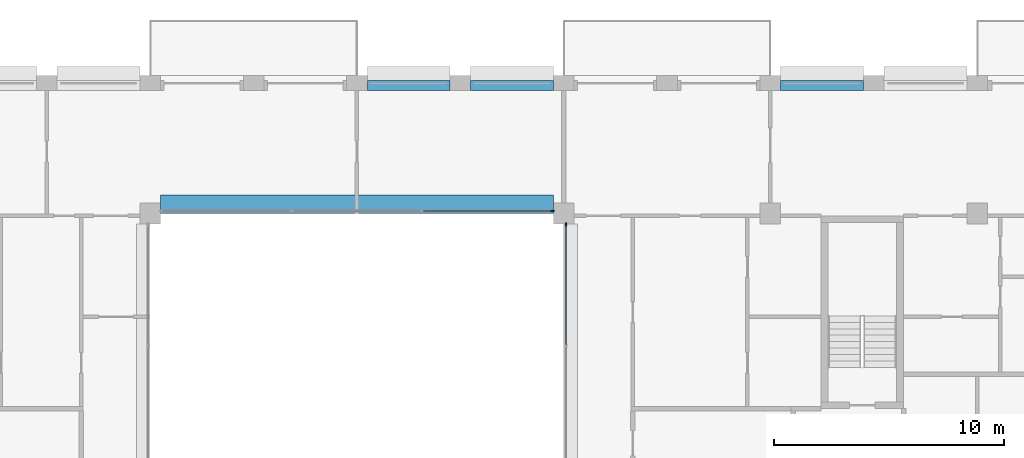
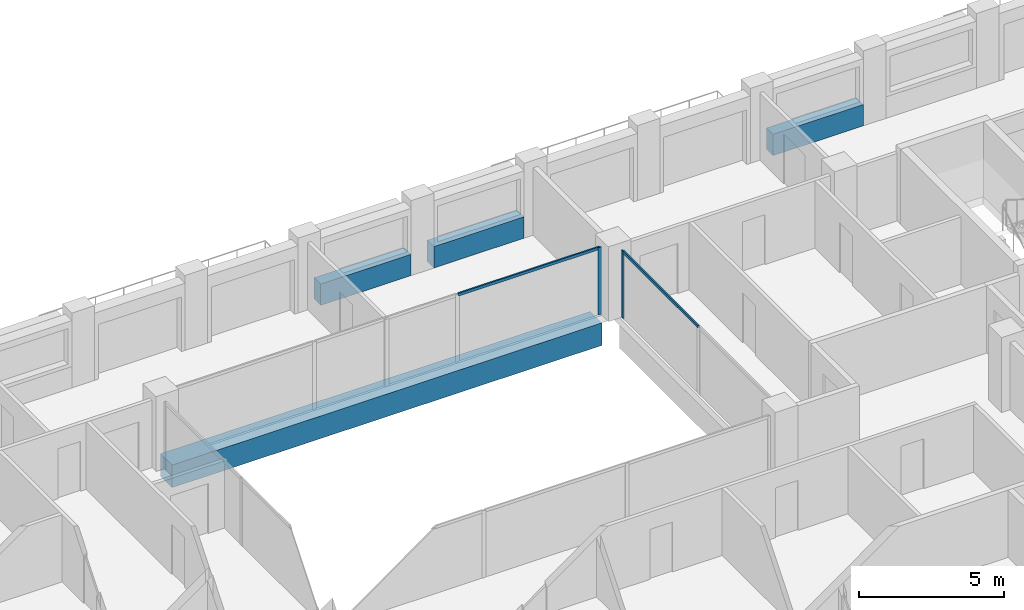
# One storey, part 6 of 15: 4 beams, 4 members, 2 elements without a shape of their own.
"""IFC4 building model written with IfcOpenShell, lengths in metres."""

from ifc_helpers import new_model, si_unit, direction, frame, origin, origin_2d, place, context, subcontext, project, spatial, rectangle, extrude, material, layer, layer_set, material_profile, profile_set, type_object, element, aggregate, save


model = new_model("IFC4")

# Units and contexts
model_context = context("Model", 3, precision=1e-05, world=origin(), true_north=direction((0.0, 1.0)))
body_context = subcontext(model_context, "Body", "Model", "MODEL_VIEW")
ifc_project = project(units=[si_unit("LENGTHUNIT", "METRE"), si_unit("AREAUNIT", "SQUARE_METRE"), si_unit("VOLUMEUNIT", "CUBIC_METRE"), si_unit("PLANEANGLEUNIT", "RADIAN"), si_unit("MASSUNIT", "GRAM", prefix="KILO")], contexts=[model_context])

# Site, building, storey
site_placement = place(None, origin())
site = spatial("IfcSite", under=ifc_project, at=site_placement, CompositionType="ELEMENT")
building_placement = place(site_placement, origin())
building = spatial("IfcBuilding", under=site, at=building_placement, Name="Brigalow Station Residences", CompositionType="ELEMENT")
storey_placement = place(building_placement, frame((0.0, 0.0, 207.449951171875)))
storey = spatial("IfcBuildingStorey", under=building, at=storey_placement, Name="L59", CompositionType="ELEMENT", Elevation=207.449951171875)

# Beam
ifc_material_1 = material(Name="Concrete C65", Category="concrete")
ifc_material_profile_1 = material_profile(ifc_material_1, rectangle(XDim=0.800048828125, YDim=0.949951171875, at=origin_2d()), Name="RC800x950")
ifc_profile_set_1 = profile_set([ifc_material_profile_1], Name="Concrete C65")
beam_type_1 = type_object("IfcBeamType", Name="ATRIUM EDGE GIRDER OVER 13.5 M SPAN 800x950 C65", PredefinedType="BEAM", material=ifc_profile_set_1)
beam_placement = place(storey_placement, frame((27.449951171875, 35.89990234375, -0.794921875), z_axis=(1.0, 0.0, 0.0), x_axis=(0.0, 1.0, 0.0)))
element("IfcBeam", 1, at=beam_placement, inside=storey, type_object=beam_type_1, Name="ATRIUM EDGE GIRDER D L59", PredefinedType="BEAM", context=body_context, shape_type="SweptSolid", body=[
    extrude(rectangle(XDim=0.800048828125, YDim=0.949951171875, at=origin_2d()), origin(), (0.0, 0.0, 1.0), 17.10009765625),
])

# Curtain wall, member
ifc_material_2 = material(Name="Aluminium", Category="aluminium")
ifc_layer = layer(ifc_material_2, 0.14990234375)
ifc_layer_set = layer_set([ifc_layer], Name="ATRIUM FIRE-RATED GLAZING CURTAIN WALL")
curtain_wall_type = type_object("IfcCurtainWallType", Name="ATRIUM FIRE-RATED GLAZING CURTAIN WALL", PredefinedType="NOTDEFINED", material=ifc_layer_set)
curtain_wall_1_placement = place(storey_placement, origin())
curtain_wall_1 = element("IfcCurtainWall", 2, at=curtain_wall_1_placement, inside=storey, type_object=curtain_wall_type, Name="L59/cw/atrium-E", PredefinedType="NOTDEFINED")
ifc_material_3 = material(Name="Aluminium", Category="aluminium")
ifc_material_profile_2 = material_profile(ifc_material_3, rectangle(XDim=0.06005859375, YDim=0.14990234375, at=origin_2d()), Name="ATRIUM FIRE-RATED GLAZING MULLION 60x150")
ifc_profile_set_2 = profile_set([ifc_material_profile_2], Name="Aluminium")
member_type_1 = type_object("IfcMemberType", Name="ATRIUM FIRE-RATED GLAZING MULLION 60x150", PredefinedType="MULLION", material=ifc_profile_set_2)
member_1_placement = place(storey_placement, frame((45.10009765625, 35.02001953125, 0.0), z_axis=(0.0, 0.0, 1.0), x_axis=(-1.0, 0.0, 0.0)))
member_1 = element("IfcMember", 3, at=member_1_placement, type_object=member_type_1, Name="L59/cw/atrium-E/M02", PredefinedType="MULLION", context=body_context, shape_type="SweptSolid", body=[
    extrude(rectangle(XDim=0.06005859375, YDim=0.14990234375, at=origin_2d()), origin(), (0.0, 0.0, 1.0), 2.830078125),
])

curtain_wall_2_placement = place(storey_placement, origin())
curtain_wall_2 = element("IfcCurtainWall", 4, at=curtain_wall_2_placement, inside=storey, type_object=curtain_wall_type, Name="L59/cw/atrium-N", PredefinedType="NOTDEFINED")
member_2_placement = place(storey_placement, frame((44.52001953125, 35.60009765625, 0.0), z_axis=(0.0, 0.0, 1.0), x_axis=(0.0, -1.0, 0.0)))
member_2 = element("IfcMember", 5, at=member_2_placement, type_object=member_type_1, Name="L59/cw/atrium-N/M00", PredefinedType="MULLION", context=body_context, shape_type="SweptSolid", body=[
    extrude(rectangle(XDim=0.06005859375, YDim=0.14990234375, at=origin_2d()), origin(), (0.0, 0.0, 1.0), 2.830078125),
])

# Member
ifc_material_4 = material(Name="Aluminium", Category="aluminium")
ifc_material_profile_3 = material_profile(ifc_material_4, rectangle(XDim=0.06005859375, YDim=0.1201171875, at=origin_2d()), Name="ATRIUM FIRE-RATED GLAZING TRANSOM 60x120")
ifc_profile_set_3 = profile_set([ifc_material_profile_3], Name="Aluminium")
member_type_2 = type_object("IfcMemberType", Name="ATRIUM FIRE-RATED GLAZING TRANSOM 60x120", PredefinedType="USERDEFINED", material=ifc_profile_set_3)
member_3_placement = place(storey_placement, frame((45.10009765625, 29.780029296875, 2.800048828125), z_axis=(0.0, 1.0, 0.0), x_axis=(-1.0, 0.0, 0.0)))
member_3 = element("IfcMember", 6, at=member_3_placement, type_object=member_type_2, Name="L59/cw/atrium-E/T01-00", ObjectType="TRANSOM", PredefinedType="USERDEFINED", context=body_context, shape_type="SweptSolid", body=[
    extrude(rectangle(XDim=0.06005859375, YDim=0.1201171875, at=origin_2d()), origin(), (0.0, 0.0, 1.0), 5.2099609375),
])

aggregate(curtain_wall_1, [member_1, member_3])

member_4_placement = place(storey_placement, frame((44.489990234375, 35.60009765625, 2.800048828125), z_axis=(-1.0, 0.0, 0.0), x_axis=(0.0, -1.0, 0.0)))
member_4 = element("IfcMember", 7, at=member_4_placement, type_object=member_type_2, Name="L59/cw/atrium-N/T00-00", ObjectType="TRANSOM", PredefinedType="USERDEFINED", context=body_context, shape_type="SweptSolid", body=[
    extrude(rectangle(XDim=0.06005859375, YDim=0.1201171875, at=origin_2d()), origin(), (0.0, 0.0, 1.0), 5.610107421875),
])

aggregate(curtain_wall_2, [member_2, member_4])

# Beams
ifc_material_5 = material(Name="Concrete C50", Category="concrete")
ifc_material_profile_4 = material_profile(ifc_material_5, rectangle(XDim=0.449951171875, YDim=0.89990234375, at=origin_2d()), Name="RC450x900")
ifc_profile_set_4 = profile_set([ifc_material_profile_4], Name="Concrete C50")
beam_type_2 = type_object("IfcBeamType", Name="SPANDREL BEAM 450x900 C50", PredefinedType="SPANDREL", material=ifc_profile_set_4)
for number, where, z_axis, x_axis, name in (
    (8, (58.050048828125, 41.074951171875, 0.449951171875), (-1.0, 0.0, 0.0), (0.0, -1.0, 0.0), "L59/spandrel/W-L59-22"),
    (9, (44.550048828125, 41.074951171875, 0.449951171875), (-1.0, 0.0, 0.0), (0.0, -1.0, 0.0), "L59/spandrel/W-L59-25"),
    (10, (40.050048828125, 41.074951171875, 0.449951171875), (-1.0, 0.0, 0.0), (0.0, -1.0, 0.0), "L59/spandrel/W-L59-26"),
):
    element("IfcBeam", number, at=place(storey_placement, frame(where, z_axis=z_axis, x_axis=x_axis)), inside=storey, type_object=beam_type_2, Name=name, PredefinedType="SPANDREL", context=body_context, shape_type="SweptSolid", body=[
        extrude(rectangle(XDim=0.449951171875, YDim=0.89990234375, at=origin_2d()), origin(), (0.0, 0.0, 1.0), 3.60009765625),
    ])

save(model, "model.ifc")
